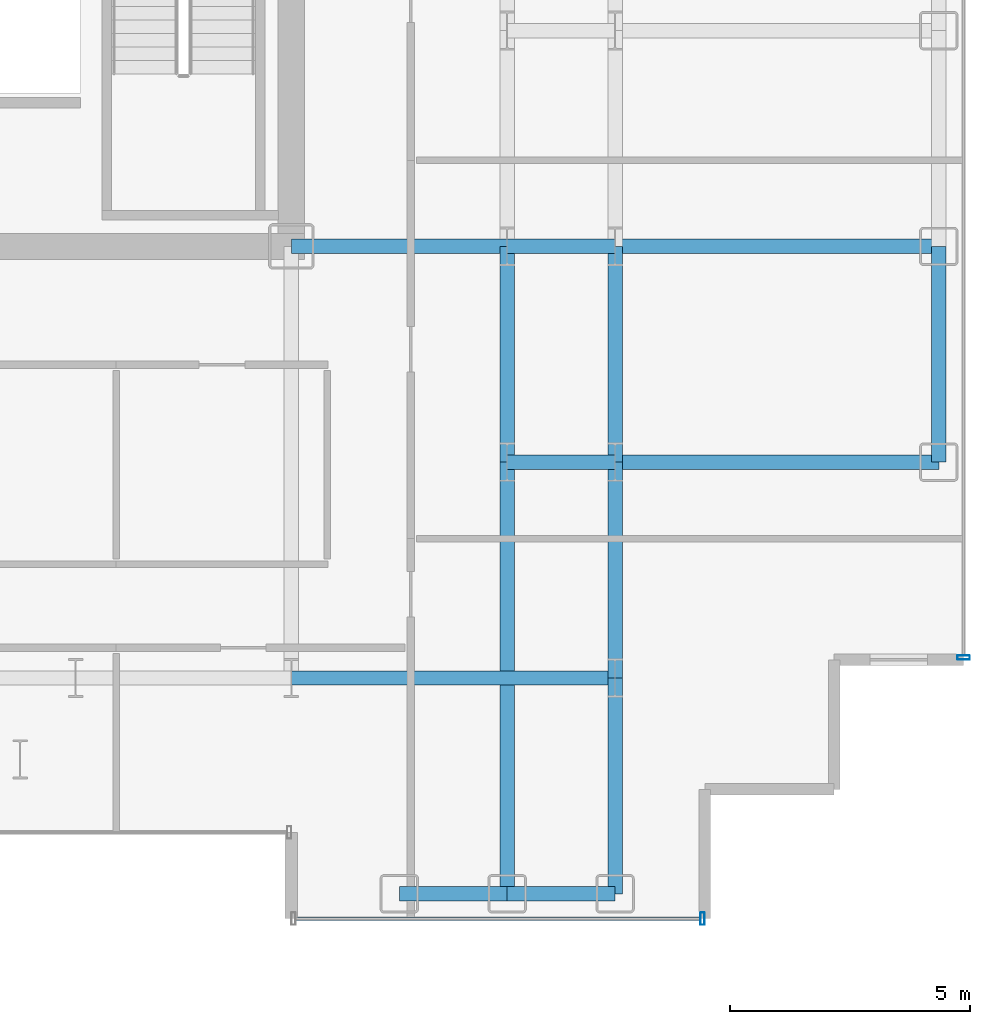
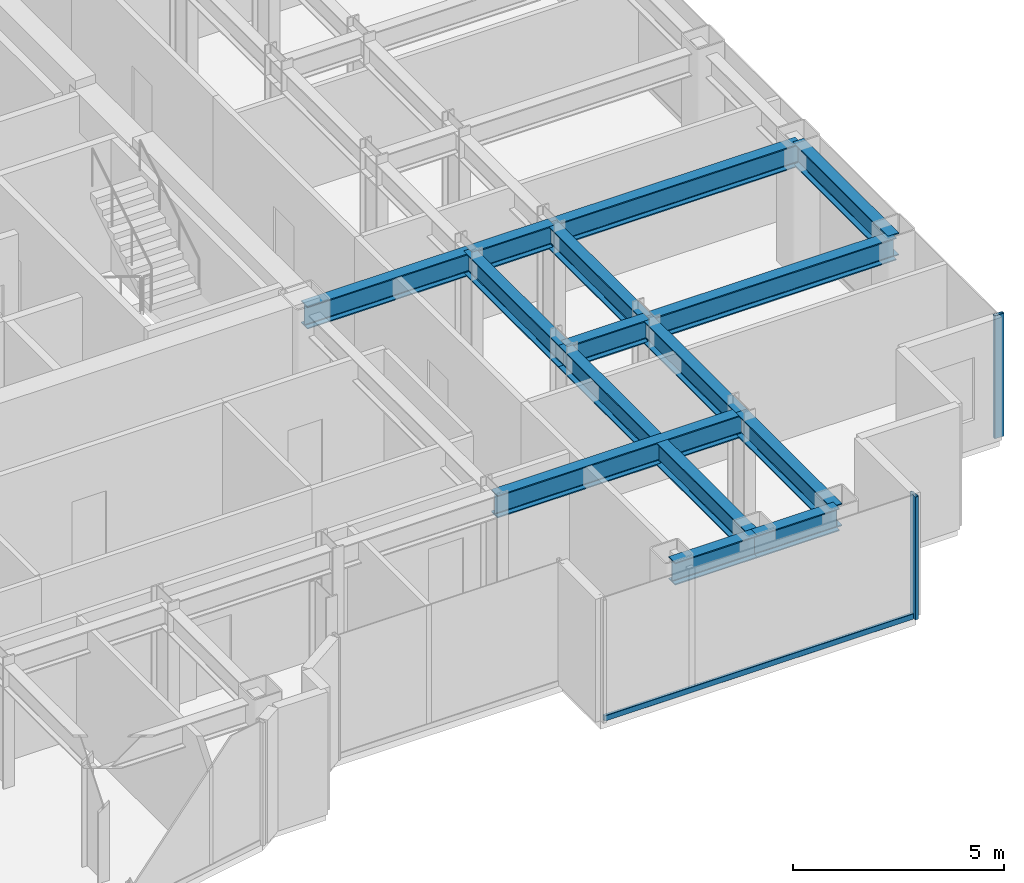
# One storey, part 8 of 23: 14 beams, 3 members, 2 elements without a shape of their own.
"""IFC4 building model written with IfcOpenShell, lengths in metres."""

from ifc_helpers import new_model, si_unit, direction, frame, origin, origin_2d, place, context, subcontext, project, spatial, hollow_rectangle, i_section, extrude, source, transform, mapped, material, layer, layer_set, material_profile, profile_set, type_object, element, aggregate, save


model = new_model("IFC4")

# Units and contexts
model_context = context("Model", 3, precision=1e-05, world=origin(), true_north=direction((0.0, 1.0)))
body_context = subcontext(model_context, "Body", "Model", "MODEL_VIEW")
ifc_project = project(units=[si_unit("LENGTHUNIT", "METRE"), si_unit("AREAUNIT", "SQUARE_METRE"), si_unit("VOLUMEUNIT", "CUBIC_METRE"), si_unit("PLANEANGLEUNIT", "RADIAN"), si_unit("MASSUNIT", "GRAM", prefix="KILO")], contexts=[model_context])

# Site, building, storey
site_placement = place(None, origin())
site = spatial("IfcSite", under=ifc_project, at=site_placement, CompositionType="ELEMENT")
building_placement = place(site_placement, origin())
building = spatial("IfcBuilding", under=site, at=building_placement, Name="Nefas-Gora Pilgrimage Tower", CompositionType="ELEMENT")
storey_placement = place(building_placement, frame((0.0, 0.0, 167.800048828125)))
storey = spatial("IfcBuildingStorey", under=building, at=storey_placement, Name="L41", CompositionType="ELEMENT", Elevation=167.800048828125)

# Beams
ifc_material_1 = material(Name="Steel S355", Category="steel")
ifc_material_profile_1 = material_profile(ifc_material_1, i_section(OverallWidth=0.300048828125, OverallDepth=0.64990234375, WebThickness=0.01611328125, FlangeThickness=0.031005859375, FilletRadius=0.027099609375, at=origin_2d()), Name="HEB 650")
ifc_profile_set_1 = profile_set([ifc_material_profile_1], Name="Steel S355")
beam_type_1 = type_object("IfcBeamType", Name="BM-SPN-HEB500", PredefinedType="SPANDREL", material=ifc_profile_set_1)
shared_shape_1 = source(origin(), body_context, "Body", "SweptSolid", [
    extrude(i_section(OverallWidth=0.300048828125, OverallDepth=0.64990234375, WebThickness=0.01611328125, FlangeThickness=0.031005859375, FilletRadius=0.027099609375, at=origin_2d()), origin(), (0.0, 0.0, 1.0), 4.5),
])
beam_1_placement = place(storey_placement, frame((24.75, -13.5, 3.224853515625), z_axis=(0.0, 1.0, 0.0), x_axis=(-1.0, 0.0, 0.0)))
element("IfcBeam", 1, at=beam_1_placement, inside=storey, type_object=beam_type_1, Name="L41 SP-02 beam", PredefinedType="SPANDREL", context=body_context, shape_type="MappedRepresentation", body=[
    mapped(shared_shape_1, transform((0.0, 0.0, 0.0), x_axis=(1.0, 0.0, 0.0), y_axis=(0.0, 1.0, 0.0), z_axis=(0.0, 0.0, 1.0), scale=1.0)),
])
ifc_material_profile_2 = material_profile(ifc_material_1, i_section(OverallWidth=0.300048828125, OverallDepth=0.64990234375, WebThickness=0.01611328125, FlangeThickness=0.031005859375, FilletRadius=0.027099609375, at=origin_2d()), Name="HEB 650")
ifc_profile_set_2 = profile_set([ifc_material_profile_2], Name="Steel S355")
beam_type_2 = type_object("IfcBeamType", Name="BM-GIR-HEB650", PredefinedType="BEAM", material=ifc_profile_set_2)
shared_shape_2 = source(origin(), body_context, "Body", "SweptSolid", [
    extrude(i_section(OverallWidth=0.300048828125, OverallDepth=0.64990234375, WebThickness=0.01611328125, FlangeThickness=0.031005859375, FilletRadius=0.027099609375, at=origin_2d()), origin(), (0.0, 0.0, 1.0), 9.0),
])
beam_2_placement = place(storey_placement, frame((15.75, -22.5, 3.224853515625), z_axis=(0.0, 1.0, 0.0), x_axis=(-1.0, 0.0, 0.0)))
element("IfcBeam", 2, at=beam_2_placement, inside=storey, type_object=beam_type_2, Name="L41 G-03 beam", PredefinedType="BEAM", context=body_context, shape_type="MappedRepresentation", body=[
    mapped(shared_shape_2, transform((0.0, 0.0, 0.0), x_axis=(1.0, 0.0, 0.0), y_axis=(0.0, 1.0, 0.0), z_axis=(0.0, 0.0, 1.0), scale=1.0)),
])
shared_shape_3 = source(origin(), body_context, "Body", "SweptSolid", [
    extrude(i_section(OverallWidth=0.300048828125, OverallDepth=0.64990234375, WebThickness=0.01611328125, FlangeThickness=0.031005859375, FilletRadius=0.027099609375, at=origin_2d()), origin(), (0.0, 0.0, 1.0), 4.5),
])
for number, where, z_axis, x_axis, name in (
    (3, (11.25, -9.0, 3.224853515625), (1.0, 0.0, 0.0), (0.0, 1.0, 0.0), "L41 G-03 beam"),
    (4, (15.75, -13.5, 3.224853515625), (0.0, 1.0, 0.0), (-1.0, 0.0, 0.0), "L41 G-03 beam"),
    (5, (18.0, -22.5, 3.224853515625), (0.0, 1.0, 0.0), (-1.0, 0.0, 0.0), "L41 G-03 beam"),
    (6, (18.0, -18.0, 3.224853515625), (0.0, 1.0, 0.0), (-1.0, 0.0, 0.0), "L41 G-03 beam"),
    (7, (18.0, -13.5, 3.224853515625), (0.0, 1.0, 0.0), (-1.0, 0.0, 0.0), "L41 G-03 beam"),
):
    element("IfcBeam", number, at=place(storey_placement, frame(where, z_axis=z_axis, x_axis=x_axis)), inside=storey, type_object=beam_type_2, Name=name, PredefinedType="BEAM", context=body_context, shape_type="MappedRepresentation", body=[
        mapped(shared_shape_3, transform((0.0, 0.0, 0.0), x_axis=(1.0, 0.0, 0.0), y_axis=(0.0, 1.0, 0.0), z_axis=(0.0, 0.0, 1.0), scale=1.0)),
    ])
shared_shape_4 = source(origin(), body_context, "Body", "SweptSolid", [
    extrude(i_section(OverallWidth=0.300048828125, OverallDepth=0.64990234375, WebThickness=0.01611328125, FlangeThickness=0.031005859375, FilletRadius=0.027099609375, at=origin_2d()), origin(), (0.0, 0.0, 1.0), 6.75),
])
for number, where, z_axis, x_axis, name in (
    (8, (11.25, -18.0, 3.224853515625), (1.0, 0.0, 0.0), (0.0, 1.0, 0.0), "L41 G-03 beam"),
    (9, (18.0, -13.5, 3.224853515625), (1.0, 0.0, 0.0), (0.0, 1.0, 0.0), "L41 G-03 beam"),
    (10, (18.0, -9.0, 3.224853515625), (1.0, 0.0, 0.0), (0.0, 1.0, 0.0), "L41 G-03 beam"),
):
    element("IfcBeam", number, at=place(storey_placement, frame(where, z_axis=z_axis, x_axis=x_axis)), inside=storey, type_object=beam_type_2, Name=name, PredefinedType="BEAM", context=body_context, shape_type="MappedRepresentation", body=[
        mapped(shared_shape_4, transform((0.0, 0.0, 0.0), x_axis=(1.0, 0.0, 0.0), y_axis=(0.0, 1.0, 0.0), z_axis=(0.0, 0.0, 1.0), scale=1.0)),
    ])
shared_shape_5 = source(origin(), body_context, "Body", "SweptSolid", [
    extrude(i_section(OverallWidth=0.300048828125, OverallDepth=0.64990234375, WebThickness=0.01611328125, FlangeThickness=0.031005859375, FilletRadius=0.027099609375, at=origin_2d()), origin(), (0.0, 0.0, 1.0), 2.25),
])
for number, where, z_axis, x_axis, name in (
    (11, (13.5, -22.5, 3.224853515625), (1.0, 0.0, 0.0), (0.0, 1.0, 0.0), "L41 SP-02 beam"),
    (12, (15.75, -22.5, 3.224853515625), (1.0, 0.0, 0.0), (0.0, 1.0, 0.0), "L41 SP-02 beam"),
):
    element("IfcBeam", number, at=place(storey_placement, frame(where, z_axis=z_axis, x_axis=x_axis)), inside=storey, type_object=beam_type_1, Name=name, PredefinedType="SPANDREL", context=body_context, shape_type="MappedRepresentation", body=[
        mapped(shared_shape_5, transform((0.0, 0.0, 0.0), x_axis=(1.0, 0.0, 0.0), y_axis=(0.0, 1.0, 0.0), z_axis=(0.0, 0.0, 1.0), scale=1.0)),
    ])
shared_shape_6 = source(origin(), body_context, "Body", "SweptSolid", [
    extrude(i_section(OverallWidth=0.300048828125, OverallDepth=0.64990234375, WebThickness=0.01611328125, FlangeThickness=0.031005859375, FilletRadius=0.027099609375, at=origin_2d()), origin(), (0.0, 0.0, 1.0), 2.25),
])
for number, where, z_axis, x_axis, name in (
    (13, (15.75, -13.5, 3.224853515625), (1.0, 0.0, 0.0), (0.0, 1.0, 0.0), "L41 G-03 beam"),
    (14, (15.75, -9.0, 3.224853515625), (1.0, 0.0, 0.0), (0.0, 1.0, 0.0), "L41 G-03 beam"),
):
    element("IfcBeam", number, at=place(storey_placement, frame(where, z_axis=z_axis, x_axis=x_axis)), inside=storey, type_object=beam_type_2, Name=name, PredefinedType="BEAM", context=body_context, shape_type="MappedRepresentation", body=[
        mapped(shared_shape_6, transform((0.0, 0.0, 0.0), x_axis=(1.0, 0.0, 0.0), y_axis=(0.0, 1.0, 0.0), z_axis=(0.0, 0.0, 1.0), scale=1.0)),
    ])

# Curtain wall, member
ifc_material_2 = material(Name="Dark ceramic-fritted solar-control aluminium-glass curtain wall", Category="aluminium")
ifc_layer = layer(ifc_material_2, 0.219970703125)
ifc_layer_set = layer_set([ifc_layer], Name="Dark ceramic-fritted solar-control aluminium-glass curtain wall")
curtain_wall_type = type_object("IfcCurtainWallType", Name="CW-SYS-3", PredefinedType="NOTDEFINED", material=ifc_layer_set)
curtain_wall_1_placement = place(storey_placement, origin())
curtain_wall_1 = element("IfcCurtainWall", 15, at=curtain_wall_1_placement, inside=storey, type_object=curtain_wall_type, Name="L41 Unitised Curtain Wall CW3", PredefinedType="NOTDEFINED")
ifc_material_3 = material(Name="Anodised architectural aluminium", Category="aluminium")
ifc_material_profile_3 = material_profile(ifc_material_3, hollow_rectangle(XDim=0.090087890625, YDim=0.260009765625, WallThickness=0.006103515625, InnerFilletRadius=0.006103515625, OuterFilletRadius=0.011962890625, at=origin_2d()), Name="ALU MULLION 90x260")
ifc_profile_set_3 = profile_set([ifc_material_profile_3], Name="Anodised architectural aluminium")
member_type_1 = type_object("IfcMemberType", Name="CWM-MUL-3", PredefinedType="MULLION", material=ifc_profile_set_3)
shared_shape_7 = source(origin(), body_context, "Body", "SweptSolid", [
    extrude(hollow_rectangle(XDim=0.090087890625, YDim=0.260009765625, WallThickness=0.006103515625, InnerFilletRadius=0.006103515625, OuterFilletRadius=0.011962890625, at=origin_2d()), origin(), (0.0, 0.0, 1.0), 3.550048828125),
])
member_1_placement = place(storey_placement, frame((19.824951171875, -23.02001953125, 0.0), z_axis=(0.0, 0.0, 1.0), x_axis=(1.0, 0.0, 0.0)))
member_1 = element("IfcMember", 16, at=member_1_placement, type_object=member_type_1, Name="CW3 Mullion 2", PredefinedType="MULLION", context=body_context, shape_type="MappedRepresentation", body=[
    mapped(shared_shape_7, transform((0.0, 0.0, 0.0), x_axis=(1.0, 0.0, 0.0), y_axis=(0.0, 1.0, 0.0), z_axis=(0.0, 0.0, 1.0), scale=1.0)),
])

curtain_wall_2_placement = place(storey_placement, origin())
curtain_wall_2 = element("IfcCurtainWall", 17, at=curtain_wall_2_placement, inside=storey, type_object=curtain_wall_type, Name="L41 Unitised Curtain Wall CW3", PredefinedType="NOTDEFINED")
member_2_placement = place(storey_placement, frame((25.27001953125, -17.574951171875, 0.0), z_axis=(0.0, 0.0, 1.0), x_axis=(0.0, 1.0, 0.0)))
member_2 = element("IfcMember", 18, at=member_2_placement, type_object=member_type_1, Name="CW3 Mullion 1", PredefinedType="MULLION", context=body_context, shape_type="MappedRepresentation", body=[
    mapped(shared_shape_7, transform((0.0, 0.0, 0.0), x_axis=(1.0, 0.0, 0.0), y_axis=(0.0, 1.0, 0.0), z_axis=(0.0, 0.0, 1.0), scale=1.0)),
])
aggregate(curtain_wall_2, [member_2])

# Member
ifc_material_profile_4 = material_profile(ifc_material_3, hollow_rectangle(XDim=0.080078125, YDim=0.159912109375, WallThickness=0.00439453125, InnerFilletRadius=0.00439453125, OuterFilletRadius=0.009033203125, at=origin_2d()), Name="ALU TRANSOM 80x160")
ifc_profile_set_4 = profile_set([ifc_material_profile_4], Name="Anodised architectural aluminium")
member_type_2 = type_object("IfcMemberType", Name="CWM-TRN-3", PredefinedType="USERDEFINED", material=ifc_profile_set_4)
shared_shape_8 = source(origin(), body_context, "Body", "SweptSolid", [
    extrude(hollow_rectangle(XDim=0.080078125, YDim=0.159912109375, WallThickness=0.00439453125, InnerFilletRadius=0.00439453125, OuterFilletRadius=0.009033203125, at=origin_2d()), origin(), (0.0, 0.0, 1.0), 8.43994140625),
])
member_3_placement = place(storey_placement, frame((11.340087890625, -23.02001953125, 0.050048828125), z_axis=(1.0, 0.0, 0.0), x_axis=(0.0, 1.0, 0.0)))
member_3 = element("IfcMember", 19, at=member_3_placement, type_object=member_type_2, Name="CW3 Spandrel Transom", ObjectType="TRANSOM", PredefinedType="USERDEFINED", context=body_context, shape_type="MappedRepresentation", body=[
    mapped(shared_shape_8, transform((0.0, 0.0, 0.0), x_axis=(1.0, 0.0, 0.0), y_axis=(0.0, 1.0, 0.0), z_axis=(0.0, 0.0, 1.0), scale=1.0)),
])

aggregate(curtain_wall_1, [member_1, member_3])

save(model, "model.ifc")
